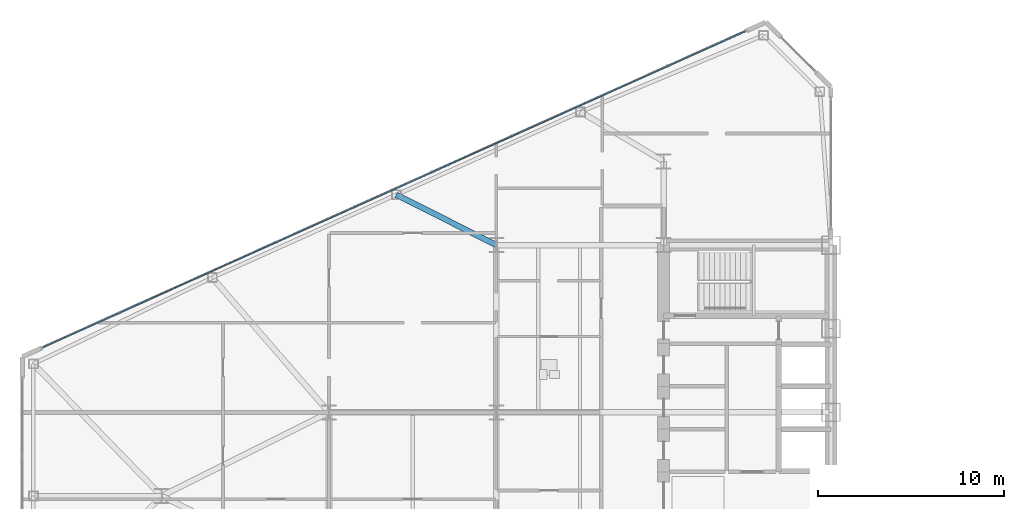
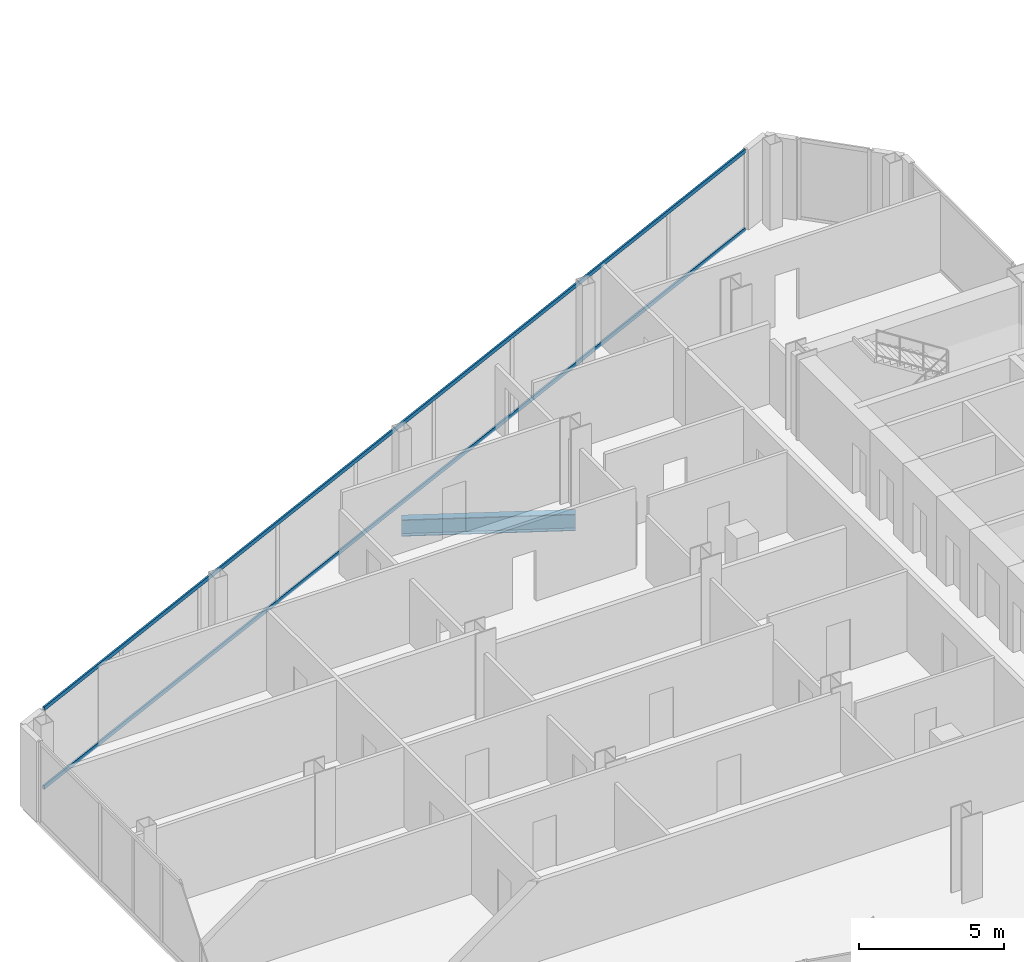
# One storey, part 8 of 27: 2 members, 1 beam, 1 element without a shape of its own.
"""IFC4 building model written with IfcOpenShell, lengths in metres."""

from ifc_helpers import new_model, si_unit, direction, frame, origin, origin_2d, place, context, subcontext, project, spatial, rectangle, i_section, extrude, source, transform, mapped, material, layer, layer_set, material_profile, profile_set, type_object, type_shapes, element, aggregate, save


model = new_model("IFC4")

# Units and contexts
model_context = context("Model", 3, precision=1e-05, world=origin(), true_north=direction((0.0, 1.0)))
body_context = subcontext(model_context, "Body", "Model", "MODEL_VIEW")
ifc_project = project(units=[si_unit("LENGTHUNIT", "METRE"), si_unit("AREAUNIT", "SQUARE_METRE"), si_unit("VOLUMEUNIT", "CUBIC_METRE"), si_unit("PLANEANGLEUNIT", "RADIAN"), si_unit("MASSUNIT", "GRAM", prefix="KILO")], contexts=[model_context])

# Site, building, storey
site_placement = place(None, origin())
site = spatial("IfcSite", under=ifc_project, at=site_placement, CompositionType="ELEMENT")
building_placement = place(site_placement, origin())
building = spatial("IfcBuilding", under=site, at=building_placement, Name="Seokmaru Belvedere", CompositionType="ELEMENT")
storey_placement = place(building_placement, frame((0.0, 0.0, 80.10009765625)))
storey = spatial("IfcBuildingStorey", under=building, at=storey_placement, Name="L21", CompositionType="ELEMENT", Elevation=80.10009765625)

# Beam
ifc_material_1 = material(Name="Steel SM355 (355 MPa)", Category="steel")
ifc_material_profile_1 = material_profile(ifc_material_1, i_section(OverallWidth=0.300048828125, OverallDepth=0.699951171875, WebThickness=0.012939453125, FlangeThickness=0.02392578125, at=origin_2d()), Name="H-700x300x13x24")
ifc_profile_set_1 = profile_set([ifc_material_profile_1], Name="Steel SM355 (355 MPa)")
beam_type = type_object("IfcBeamType", Name="Primary Floor Girder H-700", PredefinedType="BEAM", material=ifc_profile_set_1)
shared_shape_1 = source(origin(), body_context, "Body", "SweptSolid", [
    extrude(i_section(OverallWidth=0.300048828125, OverallDepth=0.699951171875, WebThickness=0.012939453125, FlangeThickness=0.02392578125, at=origin_2d()), origin(), (0.0, 0.0, 1.0), 6.017333984375),
])
type_shapes(beam_type, [shared_shape_1])
beam_placement = place(storey_placement, frame((-50.875, 16.205322265625, -0.570068359375), z_axis=(0.893239341975, -0.449581447512, 0.0), x_axis=(0.449581447512, 0.893239341975, 0.0)))
element("IfcBeam", 1, at=beam_placement, inside=storey, type_object=beam_type, Name="L21 W Flank Radial Floor Girder N-2", PredefinedType="BEAM", context=body_context, shape_type="MappedRepresentation", body=[
    mapped(shared_shape_1, transform((0.0, 0.0, 0.0), scale=1.0)),
])

# Curtain wall, members
ifc_material_2 = material(Name="Bronze Triple Insulating Glass", Category="glass")
ifc_layer = layer(ifc_material_2, 0.195068359375)
ifc_layer_set = layer_set([ifc_layer], Name="Bronze Triple Insulating Glass")
curtain_wall_type = type_object("IfcCurtainWallType", Name="Lower-Mid Tapered Curtain Wall System CW-3", PredefinedType="NOTDEFINED", material=ifc_layer_set)
curtain_wall_placement = place(storey_placement, origin())
curtain_wall = element("IfcCurtainWall", 2, at=curtain_wall_placement, inside=storey, type_object=curtain_wall_type, Name="L21 Curtain Wall WF3", PredefinedType="NOTDEFINED")
ifc_material_3 = material(Name="Anodised Bronze Aluminium", Category="aluminium")
ifc_material_profile_2 = material_profile(ifc_material_3, rectangle(XDim=0.070068359375, YDim=0.1650390625, at=origin_2d()), Name="CW-T-70x165")
ifc_profile_set_2 = profile_set([ifc_material_profile_2], Name="Anodised Bronze Aluminium")
member_type = type_object("IfcMemberType", Name="Bronze Unitised Transom 70x165", PredefinedType="USERDEFINED", material=ifc_profile_set_2)
shared_shape_2 = source(origin(), body_context, "Body", "SweptSolid", [
    extrude(rectangle(XDim=0.070068359375, YDim=0.1650390625, at=origin_2d()), origin(), (0.0, 0.0, 1.0), 41.423583984375),
])
type_shapes(member_type, [shared_shape_2])
member_1_placement = place(storey_placement, frame((-32.112548828125, 24.99951171875, 0.034912109375), z_axis=(-0.911918637916, -0.410371048956, 0.0), x_axis=(0.410371048956, -0.911918637916, 0.0)))
member_1 = element("IfcMember", 3, at=member_1_placement, type_object=member_type, Name="CW:L21:WF3 Continuous Transom 1", ObjectType="TRANSOM", PredefinedType="USERDEFINED", context=body_context, shape_type="MappedRepresentation", body=[
    mapped(shared_shape_2, transform((0.0, 0.0, 0.0), scale=1.0)),
])
member_2_placement = place(storey_placement, frame((-32.112548828125, 24.99951171875, 3.344970703125), z_axis=(-0.911918637916, -0.410371048956, 0.0), x_axis=(0.410371048956, -0.911918637916, 0.0)))
member_2 = element("IfcMember", 4, at=member_2_placement, type_object=member_type, Name="CW:L21:WF3 Continuous Transom 2", ObjectType="TRANSOM", PredefinedType="USERDEFINED", context=body_context, shape_type="MappedRepresentation", body=[
    mapped(shared_shape_2, transform((0.0, 0.0, 0.0), scale=1.0)),
])
aggregate(curtain_wall, [member_1, member_2])

save(model, "model.ifc")
